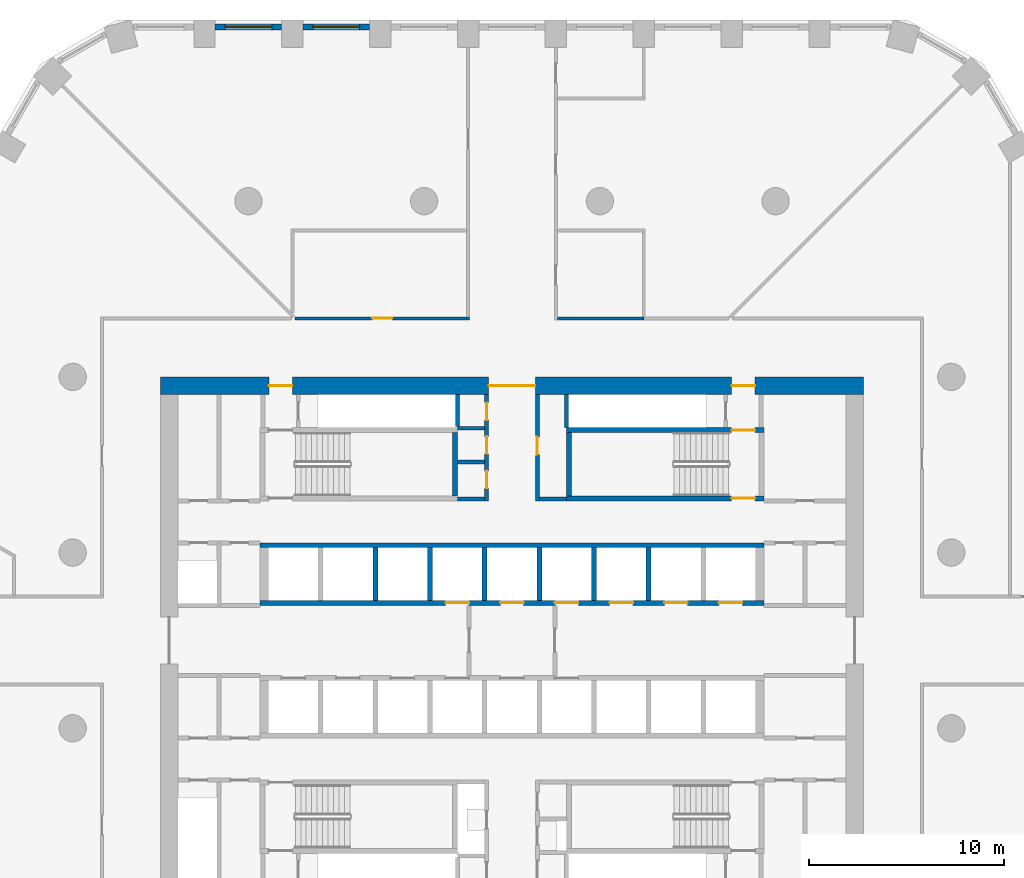
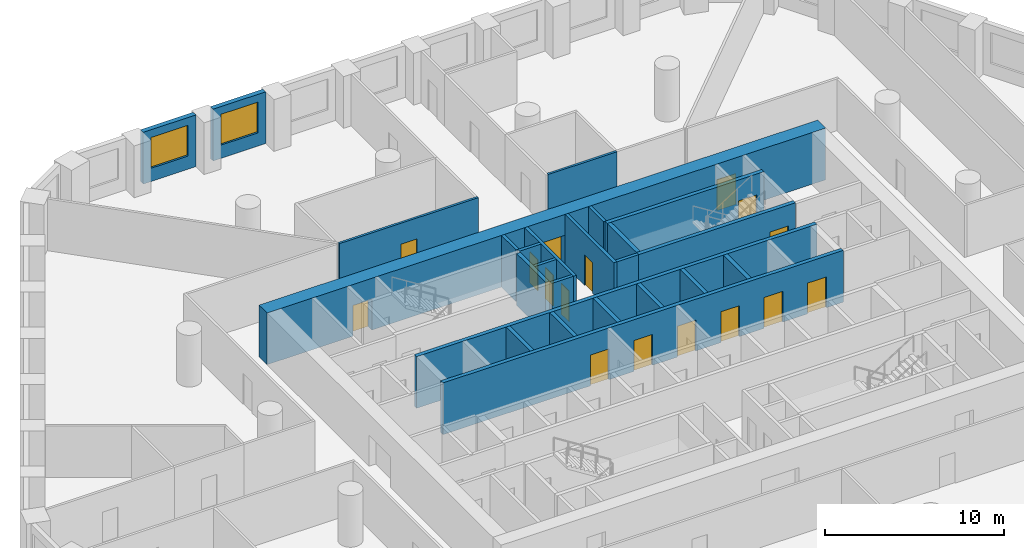
# One storey, part 6 of 10: 25 walls, 16 doors, 2 windows, 18 openings.
"""IFC4 building model written with IfcOpenShell, lengths in metres."""

from ifc_helpers import new_model, si_unit, direction, frame, frame_2d, origin, place, context, subcontext, project, spatial, polyline, rectangle, outline, extrude, material, layer, layer_set, type_object, element, fill, save


model = new_model("IFC4")

# Units and contexts
model_context = context("Model", 3, precision=1e-05, world=origin(), true_north=direction((0.0, 1.0)))
body_context = subcontext(model_context, "Body", "Model", "MODEL_VIEW")
ifc_project = project(units=[si_unit("LENGTHUNIT", "METRE"), si_unit("AREAUNIT", "SQUARE_METRE"), si_unit("VOLUMEUNIT", "CUBIC_METRE"), si_unit("PLANEANGLEUNIT", "RADIAN"), si_unit("MASSUNIT", "GRAM", prefix="KILO")], contexts=[model_context])

# Site, building, storey
site_placement = place(None, origin())
site = spatial("IfcSite", under=ifc_project, at=site_placement, CompositionType="ELEMENT")
building_placement = place(site_placement, origin())
building = spatial("IfcBuilding", under=site, at=building_placement, Name="Dhurran Vertical Campus", CompositionType="ELEMENT")
storey_placement = place(building_placement, frame((0.0, 0.0, 61.199951171875)))
storey = spatial("IfcBuildingStorey", under=building, at=storey_placement, Name="L14", CompositionType="ELEMENT", Elevation=61.199951171875)

# Wall, opening, window
ifc_material_1 = material(Name="Precast concrete C50/60", Category="concrete")
ifc_layer_1 = layer(ifc_material_1, 0.300048828125)
ifc_layer_set_1 = layer_set([ifc_layer_1], Name="Precast concrete C50/60")
wall_type_1 = type_object("IfcWallType", Name="Precast spandrel wall 300", PredefinedType="SOLIDWALL", material=ifc_layer_set_1)
wall_1_placement = place(storey_placement, frame((-7.300537109375, 31.4296875, 0.0), z_axis=(0.0, 0.0, 1.0), x_axis=(-1.0, 0.0, 0.0)))
wall_1 = element("IfcWall", 1, at=wall_1_placement, inside=storey, type_object=wall_type_1, Name="EW1 L14.32", PredefinedType="SOLIDWALL", context=body_context, shape_type="SweptSolid", body=[
    extrude(rectangle(XDim=3.39892578125, YDim=0.300048828125, at=frame_2d((1.699462890625, 0.0))), origin(), (0.0, 0.0, 1.0), 3.525146484375),
])
opening_1_placement = place(wall_1_placement, frame((0.49951171875, 0.0, 0.89990234375)))
opening_1 = element("IfcOpeningElement", 2, at=opening_1_placement, cuts=wall_1, Name="Opening WT1", PredefinedType="OPENING", context=body_context, shape_type="SweptSolid", body=[
    extrude(rectangle(XDim=2.39990234375, YDim=2.10009765625, at=frame_2d((1.199951171875, 1.050048828125))), frame((0.0, 0.159912109375, 0.0), z_axis=(0.0, -1.0, 0.0), x_axis=(1.0, 0.0, 0.0)), (0.0, 0.0, 1.0), 0.320068359375),
])
ifc_material_2 = material(Name="Aluminium frame with solar-control glass", Category="aluminium")
window_type = type_object("IfcWindowType", Name="Punched window 2400 x 2100", PartitioningType="SINGLE_PANEL", PredefinedType="WINDOW", material=ifc_material_2)
window_1_placement = place(opening_1_placement, origin())
window_1 = element("IfcWindow", 3, at=window_1_placement, inside=storey, type_object=window_type, Name="WT1 L14.32", OverallHeight=2.10009765625, OverallWidth=2.39990234375, PartitioningType="SINGLE_PANEL", PredefinedType="WINDOW", context=body_context, shape_type="SweptSolid", body=[
    extrude(rectangle(XDim=2.39990234375, YDim=2.10009765625, at=frame_2d((1.199951171875, 1.050048828125))), frame((0.0, 0.030029296875, 0.0), z_axis=(0.0, -1.0, 0.0), x_axis=(1.0, 0.0, 0.0)), (0.0, 0.0, 1.0), 0.06005859375),
])
fill(opening_1, window_1)

wall_2_placement = place(storey_placement, frame((-11.800537109375, 31.4296875, 0.0), z_axis=(0.0, 0.0, 1.0), x_axis=(-1.0, 0.0, 0.0)))
wall_2 = element("IfcWall", 4, at=wall_2_placement, inside=storey, type_object=wall_type_1, Name="EW1 L14.33", PredefinedType="SOLIDWALL", context=body_context, shape_type="SweptSolid", body=[
    extrude(rectangle(XDim=3.39892578125, YDim=0.300048828125, at=frame_2d((1.699462890625, 0.0))), origin(), (0.0, 0.0, 1.0), 3.525146484375),
])
opening_2_placement = place(wall_2_placement, frame((0.49951171875, 0.0, 0.89990234375)))
opening_2 = element("IfcOpeningElement", 5, at=opening_2_placement, cuts=wall_2, Name="Opening WT1", PredefinedType="OPENING", context=body_context, shape_type="SweptSolid", body=[
    extrude(rectangle(XDim=2.39990234375, YDim=2.10009765625, at=frame_2d((1.199951171875, 1.050048828125))), frame((0.0, 0.159912109375, 0.0), z_axis=(0.0, -1.0, 0.0), x_axis=(1.0, 0.0, 0.0)), (0.0, 0.0, 1.0), 0.320068359375),
])
window_2_placement = place(opening_2_placement, origin())
window_2 = element("IfcWindow", 6, at=window_2_placement, inside=storey, type_object=window_type, Name="WT1 L14.33", OverallHeight=2.10009765625, OverallWidth=2.39990234375, PartitioningType="SINGLE_PANEL", PredefinedType="WINDOW", context=body_context, shape_type="SweptSolid", body=[
    extrude(rectangle(XDim=2.39990234375, YDim=2.10009765625, at=frame_2d((1.199951171875, 1.050048828125))), frame((0.0, 0.030029296875, 0.0), z_axis=(0.0, -1.0, 0.0), x_axis=(1.0, 0.0, 0.0)), (0.0, 0.0, 1.0), 0.06005859375),
])
fill(opening_2, window_2)

# Wall, openings, doors
ifc_material_3 = material(Name="Concrete C60/75", Category="concrete")
ifc_layer_2 = layer(ifc_material_3, 0.89990234375)
ifc_layer_set_2 = layer_set([ifc_layer_2], Name="Concrete C60/75")
wall_type_2 = type_object("IfcWallType", Name="co-CORE-WALL-C0-900", PredefinedType="SHEAR", material=ifc_layer_set_2)
wall_3_placement = place(storey_placement, frame((-18.0, 13.050048828125, 0.0), z_axis=(0.0, 0.0, 1.0), x_axis=(1.0, 0.0, 0.0)))
wall_3 = element("IfcWall", 7, at=wall_3_placement, inside=storey, type_object=wall_type_2, Name="Core wall N L14", PredefinedType="SHEAR", context=body_context, shape_type="SweptSolid", body=[
    extrude(rectangle(XDim=36.0, YDim=0.89990234375, at=frame_2d((18.0, 0.0))), origin(), (0.0, 0.0, 1.0), 3.525146484375),
])
opening_3_placement = place(wall_3_placement, frame((16.800048828125, 0.0, 0.0)))
opening_3 = element("IfcOpeningElement", 8, at=opening_3_placement, cuts=wall_3, Name="Opening CV1", PredefinedType="OPENING", context=body_context, shape_type="SweptSolid", body=[
    extrude(rectangle(XDim=2.39990234375, YDim=2.10009765625, at=frame_2d((1.199951171875, 1.050048828125))), frame((0.0, 0.4599609375, 0.0), z_axis=(0.0, -1.0, 0.0), x_axis=(1.0, 0.0, 0.0)), (0.0, 0.0, 1.0), 0.919921875),
])
opening_4_placement = place(wall_3_placement, frame((5.550048828125, 0.0, 0.0)))
opening_4 = element("IfcOpeningElement", 9, at=opening_4_placement, cuts=wall_3, Name="Opening XD1", PredefinedType="OPENING", context=body_context, shape_type="SweptSolid", body=[
    extrude(rectangle(XDim=1.199951171875, YDim=2.10009765625, at=frame_2d((0.60009765625, 1.050048828125))), frame((0.0, 0.4599609375, 0.0), z_axis=(0.0, -1.0, 0.0), x_axis=(1.0, 0.0, 0.0)), (0.0, 0.0, 1.0), 0.919921875),
])
opening_5_placement = place(wall_3_placement, frame((29.25, 0.0, 0.0)))
opening_5 = element("IfcOpeningElement", 10, at=opening_5_placement, cuts=wall_3, Name="Opening XD2", PredefinedType="OPENING", context=body_context, shape_type="SweptSolid", body=[
    extrude(rectangle(XDim=1.199951171875, YDim=2.10009765625, at=frame_2d((0.60009765625, 1.050048828125))), frame((0.0, 0.4599609375, 0.0), z_axis=(0.0, -1.0, 0.0), x_axis=(1.0, 0.0, 0.0)), (0.0, 0.0, 1.0), 0.919921875),
])
ifc_material_4 = material(Name="Fire-rated glazed door set")
door_type_1 = type_object("IfcDoorType", Name="co-D-LOBBY 2400x2100", OperationType="DOUBLE_DOOR_DOUBLE_SWING", PredefinedType="DOOR", material=ifc_material_4)
door_1_placement = place(opening_3_placement, origin())
door_1 = element("IfcDoor", 11, at=door_1_placement, inside=storey, type_object=door_type_1, Name="Core vestibule door N L14", OperationType="DOUBLE_DOOR_DOUBLE_SWING", OverallHeight=2.10009765625, OverallWidth=2.39990234375, PredefinedType="DOOR", context=body_context, shape_type="SweptSolid", body=[
    extrude(rectangle(XDim=2.39990234375, YDim=2.10009765625, at=frame_2d((1.199951171875, 1.050048828125))), frame((0.0, 0.02490234375, 0.0), z_axis=(0.0, -1.0, 0.0), x_axis=(1.0, 0.0, 0.0)), (0.0, 0.0, 1.0), 0.050048828125),
])
fill(opening_3, door_1)
ifc_material_5 = material(Name="Fire-rated steel door set", Category="steel")
door_type_2 = type_object("IfcDoorType", Name="co-D-STAIR-EXIT 1200x2100", OperationType="SINGLE_SWING_RIGHT", PredefinedType="DOOR", material=ifc_material_5)
door_2_placement = place(opening_4_placement, origin())
door_2 = element("IfcDoor", 12, at=door_2_placement, inside=storey, type_object=door_type_2, Name="Stair ST1 exit door L14", OperationType="SINGLE_SWING_RIGHT", OverallHeight=2.10009765625, OverallWidth=1.199951171875, PredefinedType="DOOR", context=body_context, shape_type="SweptSolid", body=[
    extrude(rectangle(XDim=1.199951171875, YDim=2.10009765625, at=frame_2d((0.60009765625, 1.050048828125))), frame((0.0, 0.02490234375, 0.0), z_axis=(0.0, -1.0, 0.0), x_axis=(1.0, 0.0, 0.0)), (0.0, 0.0, 1.0), 0.050048828125),
])
fill(opening_4, door_2)
door_3_placement = place(opening_5_placement, origin())
door_3 = element("IfcDoor", 13, at=door_3_placement, inside=storey, type_object=door_type_2, Name="Stair ST2 exit door L14", OperationType="SINGLE_SWING_RIGHT", OverallHeight=2.10009765625, OverallWidth=1.199951171875, PredefinedType="DOOR", context=body_context, shape_type="SweptSolid", body=[
    extrude(rectangle(XDim=1.199951171875, YDim=2.10009765625, at=frame_2d((0.60009765625, 1.050048828125))), frame((0.0, 0.02490234375, 0.0), z_axis=(0.0, -1.0, 0.0), x_axis=(1.0, 0.0, 0.0)), (0.0, 0.0, 1.0), 0.050048828125),
])
fill(opening_5, door_3)

# Walls
ifc_material_6 = material(Name="Fire-rated masonry blockwork", Category="masonry")
ifc_layer_3 = layer(ifc_material_6, 0.199951171875)
ifc_layer_set_3 = layer_set([ifc_layer_3], Name="Fire-rated masonry blockwork")
wall_type_3 = type_object("IfcWallType", Name="co-FIRE-PARTITION-200", PredefinedType="PARTITIONING", material=ifc_layer_set_3)
for number, where, z_axis, x_axis, name in (
    (14, (-2.800048828125, 7.25, 0.0), (0.0, 0.0, 1.0), (1.0, 0.0, 0.0), "Core partition sl-NW-S L14"),
    (15, (-2.800048828125, 9.135009765625, 0.0), (0.0, 0.0, 1.0), (1.0, 0.0, 0.0), "Core partition sl-NW-cut0 L14"),
    (16, (-2.800048828125, 10.867431640625, 0.0), (0.0, 0.0, 1.0), (1.0, 0.0, 0.0), "Core partition sl-NW-cut1 L14"),
    (17, (1.39990234375, 7.25, 0.0), (0.0, 0.0, 1.0), (1.0, 0.0, 0.0), "Core partition sl-NE-S L14"),
):
    element("IfcWall", number, at=place(storey_placement, frame(where, z_axis=z_axis, x_axis=x_axis)), inside=storey, type_object=wall_type_3, Name=name, PredefinedType="PARTITIONING", context=body_context, shape_type="SweptSolid", body=[
        extrude(rectangle(XDim=1.400146484375, YDim=0.199951171875, at=frame_2d((0.7001953125, 0.0))), origin(), (0.0, 0.0, 1.0), 3.525146484375),
    ])

# Wall, openings, doors
wall_4_placement = place(storey_placement, frame((-1.300048828125, 7.14990234375, 0.0), z_axis=(0.0, 0.0, 1.0), x_axis=(0.0, 1.0, 0.0)))
wall_4 = element("IfcWall", 18, at=wall_4_placement, inside=storey, type_object=wall_type_3, Name="Core partition vest-NW L14", PredefinedType="PARTITIONING", context=body_context, shape_type="SweptSolid", body=[
    extrude(rectangle(XDim=5.4501953125, YDim=0.199951171875, at=frame_2d((2.72509765625, 0.0))), origin(), (0.0, 0.0, 1.0), 3.525146484375),
])
opening_6_placement = place(wall_4_placement, frame((0.642578125, 0.0, 0.0)))
opening_6 = element("IfcOpeningElement", 19, at=opening_6_placement, cuts=wall_4, Name="Opening T03-C6", PredefinedType="OPENING", context=body_context, shape_type="SweptSolid", body=[
    extrude(rectangle(XDim=0.89990234375, YDim=2.10009765625, at=frame_2d((0.449951171875, 1.050048828125))), frame((0.0, 0.10986328125, 0.0), z_axis=(0.0, -1.0, 0.0), x_axis=(1.0, 0.0, 0.0)), (0.0, 0.0, 1.0), 0.219970703125),
])
opening_7_placement = place(wall_4_placement, frame((2.401123046875, 0.0, 0.0)))
opening_7 = element("IfcOpeningElement", 20, at=opening_7_placement, cuts=wall_4, Name="Opening T03-C7", PredefinedType="OPENING", context=body_context, shape_type="SweptSolid", body=[
    extrude(rectangle(XDim=0.89990234375, YDim=2.10009765625, at=frame_2d((0.449951171875, 1.050048828125))), frame((0.0, 0.10986328125, 0.0), z_axis=(0.0, -1.0, 0.0), x_axis=(1.0, 0.0, 0.0)), (0.0, 0.0, 1.0), 0.219970703125),
])
opening_8_placement = place(wall_4_placement, frame((4.1337890625, 0.0, 0.0)))
opening_8 = element("IfcOpeningElement", 21, at=opening_8_placement, cuts=wall_4, Name="Opening T03-C8", PredefinedType="OPENING", context=body_context, shape_type="SweptSolid", body=[
    extrude(rectangle(XDim=0.89990234375, YDim=2.10009765625, at=frame_2d((0.449951171875, 1.050048828125))), frame((0.0, 0.10986328125, 0.0), z_axis=(0.0, -1.0, 0.0), x_axis=(1.0, 0.0, 0.0)), (0.0, 0.0, 1.0), 0.219970703125),
])
ifc_material_7 = material(Name="Fire-rated timber door set", Category="wood")
door_type_3 = type_object("IfcDoorType", Name="co-D-ROOM 900x2100", OperationType="SINGLE_SWING_LEFT", PredefinedType="DOOR", material=ifc_material_7)
door_4_placement = place(opening_6_placement, origin())
door_4 = element("IfcDoor", 22, at=door_4_placement, inside=storey, type_object=door_type_3, Name="Cleaner's store door L14", OperationType="SINGLE_SWING_LEFT", OverallHeight=2.10009765625, OverallWidth=0.89990234375, PredefinedType="DOOR", context=body_context, shape_type="SweptSolid", body=[
    extrude(rectangle(XDim=0.89990234375, YDim=2.10009765625, at=frame_2d((0.449951171875, 1.050048828125))), frame((0.0, 0.02490234375, 0.0), z_axis=(0.0, -1.0, 0.0), x_axis=(1.0, 0.0, 0.0)), (0.0, 0.0, 1.0), 0.050048828125),
])
fill(opening_6, door_4)
door_5_placement = place(opening_7_placement, origin())
door_5 = element("IfcDoor", 23, at=door_5_placement, inside=storey, type_object=door_type_3, Name="Communications room door L14", OperationType="SINGLE_SWING_LEFT", OverallHeight=2.10009765625, OverallWidth=0.89990234375, PredefinedType="DOOR", context=body_context, shape_type="SweptSolid", body=[
    extrude(rectangle(XDim=0.89990234375, YDim=2.10009765625, at=frame_2d((0.449951171875, 1.050048828125))), frame((0.0, 0.02490234375, 0.0), z_axis=(0.0, -1.0, 0.0), x_axis=(1.0, 0.0, 0.0)), (0.0, 0.0, 1.0), 0.050048828125),
])
fill(opening_7, door_5)
door_6_placement = place(opening_8_placement, origin())
door_6 = element("IfcDoor", 24, at=door_6_placement, inside=storey, type_object=door_type_3, Name="Pantry door L14", OperationType="SINGLE_SWING_LEFT", OverallHeight=2.10009765625, OverallWidth=0.89990234375, PredefinedType="DOOR", context=body_context, shape_type="SweptSolid", body=[
    extrude(rectangle(XDim=0.89990234375, YDim=2.10009765625, at=frame_2d((0.449951171875, 1.050048828125))), frame((0.0, 0.02490234375, 0.0), z_axis=(0.0, -1.0, 0.0), x_axis=(1.0, 0.0, 0.0)), (0.0, 0.0, 1.0), 0.050048828125),
])
fill(opening_8, door_6)

# Wall, opening, door
wall_5_placement = place(storey_placement, frame((1.300048828125, 7.14990234375, 0.0), z_axis=(0.0, 0.0, 1.0), x_axis=(0.0, 1.0, 0.0)))
wall_5 = element("IfcWall", 25, at=wall_5_placement, inside=storey, type_object=wall_type_3, Name="Core partition vest-NE L14", PredefinedType="PARTITIONING", context=body_context, shape_type="SweptSolid", body=[
    extrude(rectangle(XDim=5.4501953125, YDim=0.199951171875, at=frame_2d((2.72509765625, 0.0))), origin(), (0.0, 0.0, 1.0), 3.525146484375),
])
opening_9_placement = place(wall_5_placement, frame((2.375, 0.0, 0.0)))
opening_9 = element("IfcOpeningElement", 26, at=opening_9_placement, cuts=wall_5, Name="Opening T03-C9", PredefinedType="OPENING", context=body_context, shape_type="SweptSolid", body=[
    extrude(rectangle(XDim=0.89990234375, YDim=2.10009765625, at=frame_2d((0.449951171875, 1.050048828125))), frame((0.0, 0.10986328125, 0.0), z_axis=(0.0, -1.0, 0.0), x_axis=(1.0, 0.0, 0.0)), (0.0, 0.0, 1.0), 0.219970703125),
])
door_7_placement = place(opening_9_placement, origin())
door_7 = element("IfcDoor", 27, at=door_7_placement, inside=storey, type_object=door_type_3, Name="Fire equipment store door L14", OperationType="SINGLE_SWING_LEFT", OverallHeight=2.10009765625, OverallWidth=0.89990234375, PredefinedType="DOOR", context=body_context, shape_type="SweptSolid", body=[
    extrude(rectangle(XDim=0.89990234375, YDim=2.10009765625, at=frame_2d((0.449951171875, 1.050048828125))), frame((0.0, 0.02490234375, 0.0), z_axis=(0.0, -1.0, 0.0), x_axis=(1.0, 0.0, 0.0)), (0.0, 0.0, 1.0), 0.050048828125),
])
fill(opening_9, door_7)

# Walls
wall_6_placement = place(storey_placement, frame((-2.800048828125, 10.968505859375, 0.0), z_axis=(0.0, 0.0, 1.0), x_axis=(0.0, 1.0, 0.0)))
element("IfcWall", 28, at=wall_6_placement, inside=storey, type_object=wall_type_3, Name="Riser enclosure wall L14", PredefinedType="PARTITIONING", context=body_context, shape_type="SweptSolid", body=[
    extrude(rectangle(XDim=1.630615234375, YDim=0.199951171875, at=frame_2d((0.8154296875, 0.0))), origin(), (0.0, 0.0, 1.0), 3.525146484375),
])
wall_7_placement = place(storey_placement, frame((2.800048828125, 12.59912109375, 0.0), z_axis=(0.0, 0.0, 1.0), x_axis=(0.0, -1.0, 0.0)))
element("IfcWall", 29, at=wall_7_placement, inside=storey, type_object=wall_type_3, Name="Riser enclosure wall L14", PredefinedType="PARTITIONING", context=body_context, shape_type="SweptSolid", body=[
    extrude(rectangle(XDim=1.6982421875, YDim=0.199951171875, at=frame_2d((0.84912109375, 0.0))), origin(), (0.0, 0.0, 1.0), 3.525146484375),
])

# Wall, openings, doors
ifc_material_8 = material(Name="Concrete C50/60", Category="concrete")
ifc_layer_4 = layer(ifc_material_8, 0.25)
ifc_layer_set_4 = layer_set([ifc_layer_4], Name="Concrete C50/60")
wall_type_4 = type_object("IfcWallType", Name="co-SHAFT-FRONT-250", PredefinedType="SHEAR", material=ifc_layer_set_4)
wall_8_placement = place(storey_placement, frame((-12.89990234375, 1.925048828125, 0.0), z_axis=(0.0, 0.0, 1.0), x_axis=(1.0, 0.0, 0.0)))
wall_8 = element("IfcWall", 30, at=wall_8_placement, inside=storey, type_object=wall_type_4, Name="Lift landing wall N L14", PredefinedType="SHEAR", context=body_context, shape_type="SweptSolid", body=[
    extrude(rectangle(XDim=25.7998046875, YDim=0.25, at=frame_2d((12.89990234375, 0.0))), origin(), (0.0, 0.0, 1.0), 3.525146484375),
])
opening_10_placement = place(wall_8_placement, frame((9.5, 0.0, 0.0)))
opening_10 = element("IfcOpeningElement", 31, at=opening_10_placement, cuts=wall_8, Name="Opening LD", PredefinedType="OPENING", context=body_context, shape_type="SweptSolid", body=[
    extrude(rectangle(XDim=1.199951171875, YDim=2.10009765625, at=frame_2d((0.60009765625, 1.050048828125))), frame((0.0, 0.135009765625, 0.0), z_axis=(0.0, -1.0, 0.0), x_axis=(1.0, 0.0, 0.0)), (0.0, 0.0, 1.0), 0.27001953125),
])
opening_11_placement = place(wall_8_placement, frame((12.300048828125, 0.0, 0.0)))
opening_11 = element("IfcOpeningElement", 32, at=opening_11_placement, cuts=wall_8, Name="Opening LD", PredefinedType="OPENING", context=body_context, shape_type="SweptSolid", body=[
    extrude(rectangle(XDim=1.199951171875, YDim=2.10009765625, at=frame_2d((0.60009765625, 1.050048828125))), frame((0.0, 0.135009765625, 0.0), z_axis=(0.0, -1.0, 0.0), x_axis=(1.0, 0.0, 0.0)), (0.0, 0.0, 1.0), 0.27001953125),
])
opening_12_placement = place(wall_8_placement, frame((15.10009765625, 0.0, 0.0)))
opening_12 = element("IfcOpeningElement", 33, at=opening_12_placement, cuts=wall_8, Name="Opening LD", PredefinedType="OPENING", context=body_context, shape_type="SweptSolid", body=[
    extrude(rectangle(XDim=1.199951171875, YDim=2.10009765625, at=frame_2d((0.60009765625, 1.050048828125))), frame((0.0, 0.135009765625, 0.0), z_axis=(0.0, -1.0, 0.0), x_axis=(1.0, 0.0, 0.0)), (0.0, 0.0, 1.0), 0.27001953125),
])
opening_13_placement = place(wall_8_placement, frame((17.89990234375, 0.0, 0.0)))
opening_13 = element("IfcOpeningElement", 34, at=opening_13_placement, cuts=wall_8, Name="Opening LD", PredefinedType="OPENING", context=body_context, shape_type="SweptSolid", body=[
    extrude(rectangle(XDim=1.199951171875, YDim=2.10009765625, at=frame_2d((0.60009765625, 1.050048828125))), frame((0.0, 0.135009765625, 0.0), z_axis=(0.0, -1.0, 0.0), x_axis=(1.0, 0.0, 0.0)), (0.0, 0.0, 1.0), 0.27001953125),
])
opening_14_placement = place(wall_8_placement, frame((20.699951171875, 0.0, 0.0)))
opening_14 = element("IfcOpeningElement", 35, at=opening_14_placement, cuts=wall_8, Name="Opening LD", PredefinedType="OPENING", context=body_context, shape_type="SweptSolid", body=[
    extrude(rectangle(XDim=1.199951171875, YDim=2.10009765625, at=frame_2d((0.60009765625, 1.050048828125))), frame((0.0, 0.135009765625, 0.0), z_axis=(0.0, -1.0, 0.0), x_axis=(1.0, 0.0, 0.0)), (0.0, 0.0, 1.0), 0.27001953125),
])
opening_15_placement = place(wall_8_placement, frame((23.5, 0.0, 0.0)))
opening_15 = element("IfcOpeningElement", 36, at=opening_15_placement, cuts=wall_8, Name="Opening LD", PredefinedType="OPENING", context=body_context, shape_type="SweptSolid", body=[
    extrude(rectangle(XDim=1.199951171875, YDim=2.10009765625, at=frame_2d((0.60009765625, 1.050048828125))), frame((0.0, 0.135009765625, 0.0), z_axis=(0.0, -1.0, 0.0), x_axis=(1.0, 0.0, 0.0)), (0.0, 0.0, 1.0), 0.27001953125),
])
ifc_material_9 = material(Name="Stainless steel landing door", Category="steel")
door_type_4 = type_object("IfcDoorType", Name="co-D-LANDING 1200x2100", OperationType="DOUBLE_DOOR_SLIDING", PredefinedType="DOOR", material=ifc_material_9)
door_8_placement = place(opening_10_placement, origin())
door_8 = element("IfcDoor", 37, at=door_8_placement, inside=storey, type_object=door_type_4, Name="Landing door LR1 L14", OperationType="DOUBLE_DOOR_SLIDING", OverallHeight=2.10009765625, OverallWidth=1.199951171875, PredefinedType="DOOR", context=body_context, shape_type="SweptSolid", body=[
    extrude(rectangle(XDim=1.199951171875, YDim=2.10009765625, at=frame_2d((0.60009765625, 1.050048828125))), frame((0.0, 0.02490234375, 0.0), z_axis=(0.0, -1.0, 0.0), x_axis=(1.0, 0.0, 0.0)), (0.0, 0.0, 1.0), 0.050048828125),
])
fill(opening_10, door_8)
door_9_placement = place(opening_11_placement, origin())
door_9 = element("IfcDoor", 38, at=door_9_placement, inside=storey, type_object=door_type_4, Name="Landing door FF1 L14", OperationType="DOUBLE_DOOR_SLIDING", OverallHeight=2.10009765625, OverallWidth=1.199951171875, PredefinedType="DOOR", context=body_context, shape_type="SweptSolid", body=[
    extrude(rectangle(XDim=1.199951171875, YDim=2.10009765625, at=frame_2d((0.60009765625, 1.050048828125))), frame((0.0, 0.02490234375, 0.0), z_axis=(0.0, -1.0, 0.0), x_axis=(1.0, 0.0, 0.0)), (0.0, 0.0, 1.0), 0.050048828125),
])
fill(opening_11, door_9)
door_10_placement = place(opening_12_placement, origin())
door_10 = element("IfcDoor", 39, at=door_10_placement, inside=storey, type_object=door_type_4, Name="Landing door LR2 L14", OperationType="DOUBLE_DOOR_SLIDING", OverallHeight=2.10009765625, OverallWidth=1.199951171875, PredefinedType="DOOR", context=body_context, shape_type="SweptSolid", body=[
    extrude(rectangle(XDim=1.199951171875, YDim=2.10009765625, at=frame_2d((0.60009765625, 1.050048828125))), frame((0.0, 0.02490234375, 0.0), z_axis=(0.0, -1.0, 0.0), x_axis=(1.0, 0.0, 0.0)), (0.0, 0.0, 1.0), 0.050048828125),
])
fill(opening_12, door_10)
door_11_placement = place(opening_13_placement, origin())
door_11 = element("IfcDoor", 40, at=door_11_placement, inside=storey, type_object=door_type_4, Name="Landing door LR3 L14", OperationType="DOUBLE_DOOR_SLIDING", OverallHeight=2.10009765625, OverallWidth=1.199951171875, PredefinedType="DOOR", context=body_context, shape_type="SweptSolid", body=[
    extrude(rectangle(XDim=1.199951171875, YDim=2.10009765625, at=frame_2d((0.60009765625, 1.050048828125))), frame((0.0, 0.02490234375, 0.0), z_axis=(0.0, -1.0, 0.0), x_axis=(1.0, 0.0, 0.0)), (0.0, 0.0, 1.0), 0.050048828125),
])
fill(opening_13, door_11)
door_12_placement = place(opening_14_placement, origin())
door_12 = element("IfcDoor", 41, at=door_12_placement, inside=storey, type_object=door_type_4, Name="Landing door LR4 L14", OperationType="DOUBLE_DOOR_SLIDING", OverallHeight=2.10009765625, OverallWidth=1.199951171875, PredefinedType="DOOR", context=body_context, shape_type="SweptSolid", body=[
    extrude(rectangle(XDim=1.199951171875, YDim=2.10009765625, at=frame_2d((0.60009765625, 1.050048828125))), frame((0.0, 0.02490234375, 0.0), z_axis=(0.0, -1.0, 0.0), x_axis=(1.0, 0.0, 0.0)), (0.0, 0.0, 1.0), 0.050048828125),
])
fill(opening_14, door_12)
door_13_placement = place(opening_15_placement, origin())
door_13 = element("IfcDoor", 42, at=door_13_placement, inside=storey, type_object=door_type_4, Name="Landing door SV2 L14", OperationType="DOUBLE_DOOR_SLIDING", OverallHeight=2.10009765625, OverallWidth=1.199951171875, PredefinedType="DOOR", context=body_context, shape_type="SweptSolid", body=[
    extrude(rectangle(XDim=1.199951171875, YDim=2.10009765625, at=frame_2d((0.60009765625, 1.050048828125))), frame((0.0, 0.02490234375, 0.0), z_axis=(0.0, -1.0, 0.0), x_axis=(1.0, 0.0, 0.0)), (0.0, 0.0, 1.0), 0.050048828125),
])
fill(opening_15, door_13)

# Walls
ifc_material_10 = material(Name="Concrete C50/60", Category="concrete")
ifc_layer_5 = layer(ifc_material_10, 0.25)
ifc_layer_set_5 = layer_set([ifc_layer_5], Name="Concrete C50/60")
wall_type_5 = type_object("IfcWallType", Name="co-SHAFT-MASS-250", PredefinedType="SHEAR", material=ifc_layer_set_5)
wall_9_placement = place(storey_placement, origin())
element("IfcWall", 43, at=wall_9_placement, inside=storey, type_object=wall_type_5, Name="Lift shaft wall N L14 1", PredefinedType="SHEAR", context=body_context, shape_type="SweptSolid", body=[
    extrude(outline(polyline([(-12.89990234375, 4.75), (12.89990234375, 4.75), (12.89990234375, 5.0), (-12.89990234375, 5.0), (-12.89990234375, 4.75)])), origin(), (0.0, 0.0, 1.0), 3.525146484375),
])
wall_10_placement = place(storey_placement, origin())
element("IfcWall", 44, at=wall_10_placement, inside=storey, type_object=wall_type_5, Name="Lift shaft wall N L14 4", PredefinedType="SHEAR", context=body_context, shape_type="SweptSolid", body=[
    extrude(outline(polyline([(-7.125, 2.050048828125), (-6.875, 2.050048828125), (-6.875, 4.75), (-7.125, 4.75), (-7.125, 2.050048828125)])), origin(), (0.0, 0.0, 1.0), 3.525146484375),
])
wall_11_placement = place(storey_placement, origin())
element("IfcWall", 45, at=wall_11_placement, inside=storey, type_object=wall_type_5, Name="Lift shaft wall N L14 5", PredefinedType="SHEAR", context=body_context, shape_type="SweptSolid", body=[
    extrude(outline(polyline([(-4.324951171875, 2.050048828125), (-4.074951171875, 2.050048828125), (-4.074951171875, 4.75), (-4.324951171875, 4.75), (-4.324951171875, 2.050048828125)])), origin(), (0.0, 0.0, 1.0), 3.525146484375),
])
wall_12_placement = place(storey_placement, origin())
element("IfcWall", 46, at=wall_12_placement, inside=storey, type_object=wall_type_5, Name="Lift shaft wall N L14 6", PredefinedType="SHEAR", context=body_context, shape_type="SweptSolid", body=[
    extrude(outline(polyline([(-1.52490234375, 2.050048828125), (-1.27490234375, 2.050048828125), (-1.27490234375, 4.75), (-1.52490234375, 4.75), (-1.52490234375, 2.050048828125)])), origin(), (0.0, 0.0, 1.0), 3.525146484375),
])
wall_13_placement = place(storey_placement, origin())
element("IfcWall", 47, at=wall_13_placement, inside=storey, type_object=wall_type_5, Name="Lift shaft wall N L14 7", PredefinedType="SHEAR", context=body_context, shape_type="SweptSolid", body=[
    extrude(outline(polyline([(1.27490234375, 2.050048828125), (1.52490234375, 2.050048828125), (1.52490234375, 4.75), (1.27490234375, 4.75), (1.27490234375, 2.050048828125)])), origin(), (0.0, 0.0, 1.0), 3.525146484375),
])
wall_14_placement = place(storey_placement, origin())
element("IfcWall", 48, at=wall_14_placement, inside=storey, type_object=wall_type_5, Name="Lift shaft wall N L14 8", PredefinedType="SHEAR", context=body_context, shape_type="SweptSolid", body=[
    extrude(outline(polyline([(4.074951171875, 2.050048828125), (4.324951171875, 2.050048828125), (4.324951171875, 4.75), (4.074951171875, 4.75), (4.074951171875, 2.050048828125)])), origin(), (0.0, 0.0, 1.0), 3.525146484375),
])
wall_15_placement = place(storey_placement, origin())
element("IfcWall", 49, at=wall_15_placement, inside=storey, type_object=wall_type_5, Name="Lift shaft wall N L14 9", PredefinedType="SHEAR", context=body_context, shape_type="SweptSolid", body=[
    extrude(outline(polyline([(6.875, 2.050048828125), (7.125, 2.050048828125), (7.125, 4.75), (6.875, 4.75), (6.875, 2.050048828125)])), origin(), (0.0, 0.0, 1.0), 3.525146484375),
])
ifc_material_11 = material(Name="Concrete C40/50", Category="concrete")
ifc_layer_6 = layer(ifc_material_11, 0.25)
ifc_layer_set_6 = layer_set([ifc_layer_6], Name="Concrete C40/50")
wall_type_6 = type_object("IfcWallType", Name="co-STAIR-WALL-250", PredefinedType="SHEAR", material=ifc_layer_set_6)
wall_16_placement = place(storey_placement, frame((-2.925048828125, 7.39990234375, 0.0), z_axis=(0.0, 0.0, 1.0), x_axis=(0.0, 1.0, 0.0)))
element("IfcWall", 50, at=wall_16_placement, inside=storey, type_object=wall_type_6, Name="Stair ST1 enclosure wall L14", PredefinedType="SHEAR", context=body_context, shape_type="SweptSolid", body=[
    extrude(rectangle(XDim=3.25, YDim=0.25, at=frame_2d((1.625, 0.0))), origin(), (0.0, 0.0, 1.0), 3.525146484375),
])

# Wall, opening, door
wall_17_placement = place(storey_placement, frame((2.800048828125, 7.27490234375, 0.0), z_axis=(0.0, 0.0, 1.0), x_axis=(1.0, 0.0, 0.0)))
wall_17 = element("IfcWall", 51, at=wall_17_placement, inside=storey, type_object=wall_type_6, Name="Stair ST2 enclosure wall L14", PredefinedType="SHEAR", context=body_context, shape_type="SweptSolid", body=[
    extrude(rectangle(XDim=10.099853515625, YDim=0.25, at=frame_2d((5.0498046875, 0.0))), origin(), (0.0, 0.0, 1.0), 3.525146484375),
])
opening_16_placement = place(wall_17_placement, frame((8.449951171875, 0.0, 0.0)))
opening_16 = element("IfcOpeningElement", 52, at=opening_16_placement, cuts=wall_17, Name="Opening SD2", PredefinedType="OPENING", context=body_context, shape_type="SweptSolid", body=[
    extrude(rectangle(XDim=1.199951171875, YDim=2.10009765625, at=frame_2d((0.60009765625, 1.050048828125))), frame((0.0, 0.135009765625, 0.0), z_axis=(0.0, -1.0, 0.0), x_axis=(1.0, 0.0, 0.0)), (0.0, 0.0, 1.0), 0.27001953125),
])
ifc_material_12 = material(Name="Fire-rated steel door set", Category="steel")
door_type_5 = type_object("IfcDoorType", Name="co-D-STAIR 1200x2100", OperationType="SINGLE_SWING_LEFT", PredefinedType="DOOR", material=ifc_material_12)
door_14_placement = place(opening_16_placement, origin())
door_14 = element("IfcDoor", 53, at=door_14_placement, inside=storey, type_object=door_type_5, Name="Stair ST2 door L14", OperationType="SINGLE_SWING_LEFT", OverallHeight=2.10009765625, OverallWidth=1.199951171875, PredefinedType="DOOR", context=body_context, shape_type="SweptSolid", body=[
    extrude(rectangle(XDim=1.199951171875, YDim=2.10009765625, at=frame_2d((0.60009765625, 1.050048828125))), frame((0.0, 0.02490234375, 0.0), z_axis=(0.0, -1.0, 0.0), x_axis=(1.0, 0.0, 0.0)), (0.0, 0.0, 1.0), 0.050048828125),
])
fill(opening_16, door_14)

wall_18_placement = place(storey_placement, frame((2.800048828125, 10.77490234375, 0.0), z_axis=(0.0, 0.0, 1.0), x_axis=(1.0, 0.0, 0.0)))
wall_18 = element("IfcWall", 54, at=wall_18_placement, inside=storey, type_object=wall_type_6, Name="Stair ST2 enclosure wall L14", PredefinedType="SHEAR", context=body_context, shape_type="SweptSolid", body=[
    extrude(rectangle(XDim=10.099853515625, YDim=0.25, at=frame_2d((5.0498046875, 0.0))), origin(), (0.0, 0.0, 1.0), 3.525146484375),
])
opening_17_placement = place(wall_18_placement, frame((8.449951171875, 0.0, 0.0)))
opening_17 = element("IfcOpeningElement", 55, at=opening_17_placement, cuts=wall_18, Name="Opening XS2", PredefinedType="OPENING", context=body_context, shape_type="SweptSolid", body=[
    extrude(rectangle(XDim=1.199951171875, YDim=2.10009765625, at=frame_2d((0.60009765625, 1.050048828125))), frame((0.0, 0.135009765625, 0.0), z_axis=(0.0, -1.0, 0.0), x_axis=(1.0, 0.0, 0.0)), (0.0, 0.0, 1.0), 0.27001953125),
])
door_15_placement = place(opening_17_placement, origin())
door_15 = element("IfcDoor", 56, at=door_15_placement, inside=storey, type_object=door_type_2, Name="Stair ST2 discharge door L14", OperationType="SINGLE_SWING_RIGHT", OverallHeight=2.10009765625, OverallWidth=1.199951171875, PredefinedType="DOOR", context=body_context, shape_type="SweptSolid", body=[
    extrude(rectangle(XDim=1.199951171875, YDim=2.10009765625, at=frame_2d((0.60009765625, 1.050048828125))), frame((0.0, 0.02490234375, 0.0), z_axis=(0.0, -1.0, 0.0), x_axis=(1.0, 0.0, 0.0)), (0.0, 0.0, 1.0), 0.050048828125),
])
fill(opening_17, door_15)

# Wall
wall_19_placement = place(storey_placement, frame((2.925048828125, 7.39990234375, 0.0), z_axis=(0.0, 0.0, 1.0), x_axis=(0.0, 1.0, 0.0)))
element("IfcWall", 57, at=wall_19_placement, inside=storey, type_object=wall_type_6, Name="Stair ST2 enclosure wall L14", PredefinedType="SHEAR", context=body_context, shape_type="SweptSolid", body=[
    extrude(rectangle(XDim=3.25, YDim=0.25, at=frame_2d((1.625, 0.0))), origin(), (0.0, 0.0, 1.0), 3.525146484375),
])

# Wall, opening, door
ifc_material_13 = material(Name="Gypsum board corridor wall on steel studs", Category="steel")
ifc_layer_7 = layer(ifc_material_13, 0.14990234375)
ifc_layer_set_7 = layer_set([ifc_layer_7], Name="Gypsum board corridor wall on steel studs")
wall_type_7 = type_object("IfcWallType", Name="fl-CW-150 corridor wall", PredefinedType="PARTITIONING", material=ifc_layer_set_7)
wall_20_placement = place(storey_placement, frame((-2.175048828125, 16.5, 0.0), z_axis=(0.0, 0.0, 1.0), x_axis=(-1.0, 0.0, 0.0)))
wall_20 = element("IfcWall", 58, at=wall_20_placement, inside=storey, type_object=wall_type_7, Name="Partition 14-21", PredefinedType="PARTITIONING", context=body_context, shape_type="SweptSolid", body=[
    extrude(rectangle(XDim=8.94189453125, YDim=0.14990234375, at=frame_2d((4.470947265625, 0.0))), origin(), (0.0, 0.0, 1.0), 3.525146484375),
])
opening_18_placement = place(wall_20_placement, frame((3.970947265625, 0.0, 0.0)))
opening_18 = element("IfcOpeningElement", 59, at=opening_18_placement, cuts=wall_20, Name="Opening T03.08", PredefinedType="OPENING", context=body_context, shape_type="SweptSolid", body=[
    extrude(rectangle(XDim=1.0, YDim=2.10009765625, at=frame_2d((0.5, 1.050048828125))), frame((0.0, 0.0849609375, 0.0), z_axis=(0.0, -1.0, 0.0), x_axis=(1.0, 0.0, 0.0)), (0.0, 0.0, 1.0), 0.169921875),
])
ifc_material_14 = material(Name="Solid-core timber door set, fire-rated", Category="wood")
door_type_6 = type_object("IfcDoorType", Name="fl-D-1000x2100", OperationType="SINGLE_SWING_LEFT", PredefinedType="DOOR", material=ifc_material_14)
door_16_placement = place(opening_18_placement, origin())
door_16 = element("IfcDoor", 60, at=door_16_placement, inside=storey, type_object=door_type_6, Name="Door 14.08", OperationType="SINGLE_SWING_RIGHT", OverallHeight=2.10009765625, OverallWidth=1.0, PredefinedType="DOOR", context=body_context, shape_type="SweptSolid", body=[
    extrude(rectangle(XDim=1.0, YDim=2.10009765625, at=frame_2d((0.5, 1.050048828125))), frame((0.0, 0.02490234375, 0.0), z_axis=(0.0, -1.0, 0.0), x_axis=(1.0, 0.0, 0.0)), (0.0, 0.0, 1.0), 0.050048828125),
])
fill(opening_18, door_16)

# Wall
wall_21_placement = place(storey_placement, frame((6.75, 16.5, 0.0), z_axis=(0.0, 0.0, 1.0), x_axis=(-1.0, 0.0, 0.0)))
element("IfcWall", 61, at=wall_21_placement, inside=storey, type_object=wall_type_7, Name="Partition 14-27", PredefinedType="PARTITIONING", context=body_context, shape_type="SweptSolid", body=[
    extrude(rectangle(XDim=4.425048828125, YDim=0.14990234375, at=frame_2d((2.21240234375, 0.0))), origin(), (0.0, 0.0, 1.0), 3.525146484375),
])

save(model, "model.ifc")
